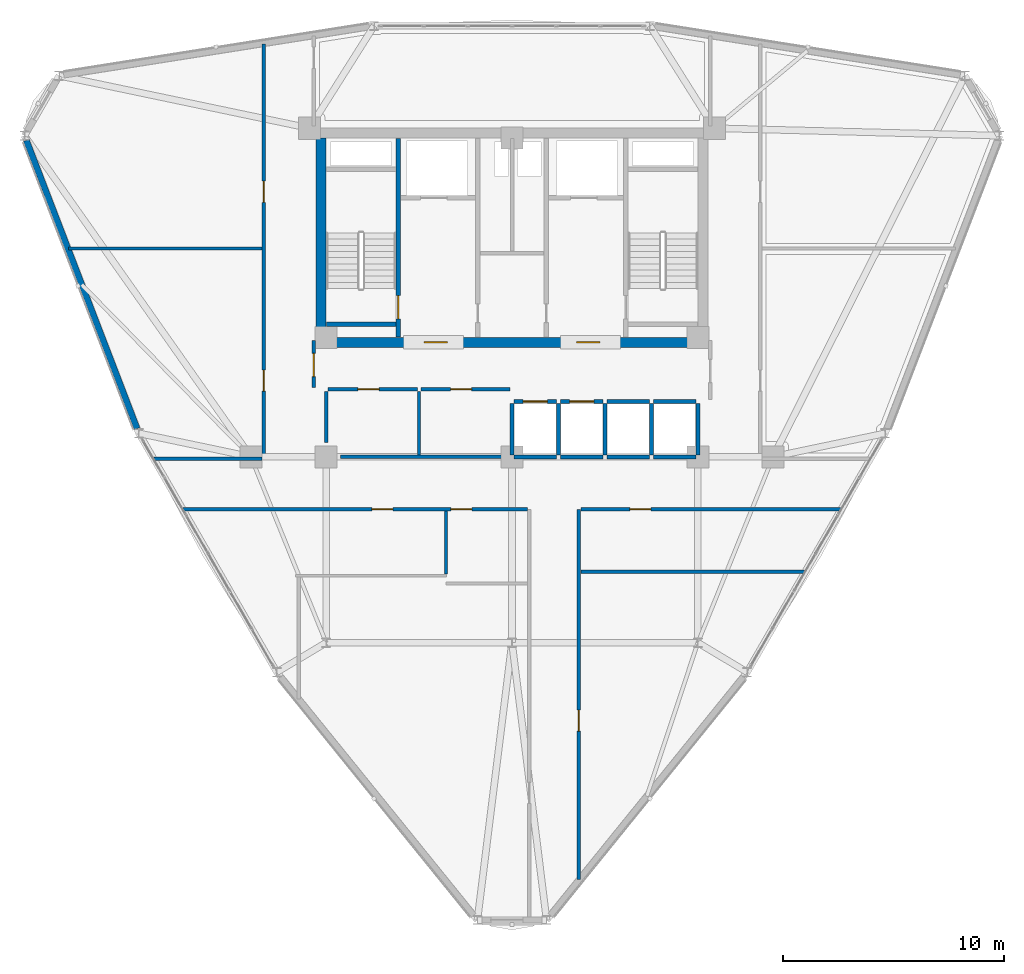
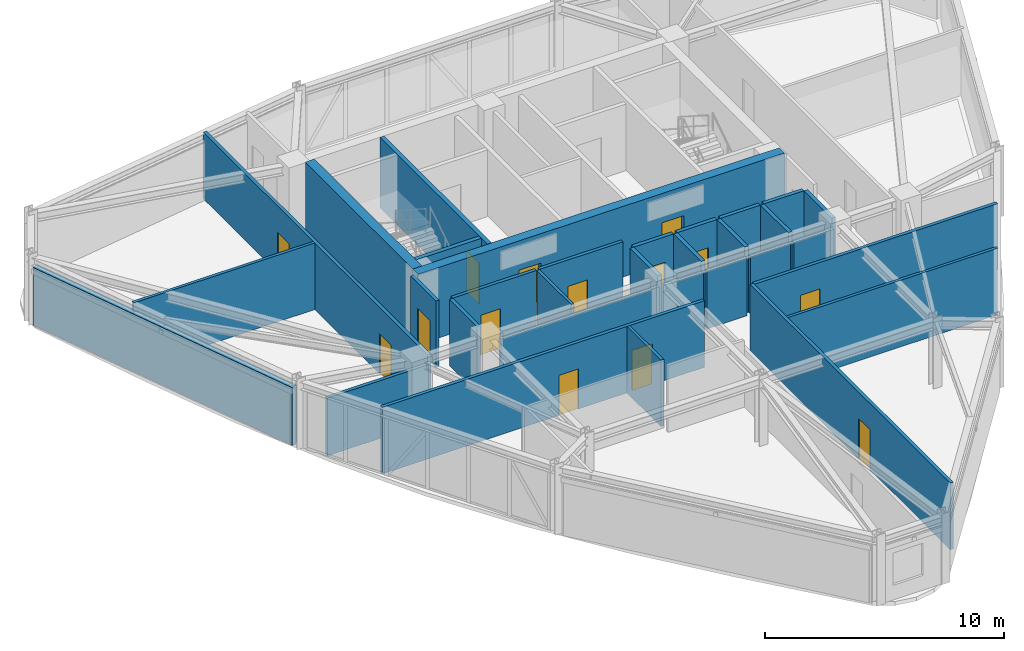
# One storey, part 10 of 14: 32 walls, 14 doors, 14 openings.
"""IFC4 building model written with IfcOpenShell, lengths in metres."""

import ifcopenshell
import ifcopenshell.guid

model = None  # the IFC model being written
_history = None  # IfcOwnerHistory: only IFC2X3 demands one
_inside = {}  # id of a spatial element -> (the spatial element, [elements in it])
_under = {}  # id of a project, library or spatial element -> (it, [spatial elements below it])
_declared = {}  # id of a project -> (the project, [libraries it declares])
_typed = {}  # id of a type object -> (the type object, [elements of that type])
_made_of = {}  # id of a material, layer set ... -> (it, [elements and type objects made of it])


def new_model(schema):
    """Start an empty IFC model of exactly this schema.

    Asked for "IFC4X3", IfcOpenShell would pick the latest addendum, in which some entities
    have other attributes; the version numbers below select the first issue.
    IFC2X3 requires an IfcOwnerHistory on every rooted entity: one is made here for all.
    """
    global model, _history
    if schema == "IFC4X3":
        model = ifcopenshell.file(schema_version=(4, 3, 0, 0))
    else:
        model = ifcopenshell.file(schema=schema)
    _inside.clear()
    _under.clear()
    _declared.clear()
    _typed.clear()
    _made_of.clear()
    _history = None
    if model.schema == "IFC2X3":
        org = make("IfcOrganization", Name="unknown")
        user = make(
            "IfcPersonAndOrganization",
            ThePerson=make("IfcPerson", FamilyName="unknown"),
            TheOrganization=org,
        )
        app = make(
            "IfcApplication",
            ApplicationDeveloper=org,
            Version="unknown",
            ApplicationFullName="unknown",
            ApplicationIdentifier="unknown",
        )
        _history = make(
            "IfcOwnerHistory",
            OwningUser=user,
            OwningApplication=app,
            ChangeAction="ADDED",
            CreationDate=0,
        )
    return model


def make(cls, **values):
    """One entity of the class cls with the attributes given. An attribute that is None is left unset."""
    return model.create_entity(
        cls, **{name: value for name, value in values.items() if value is not None}
    )


def rooted(cls, **values):
    """An entity with a GlobalId (a new one), such as an element, a storey or a relation."""
    return make(cls, GlobalId=ifcopenshell.guid.new(), OwnerHistory=_history, **values)


def si_unit(unit_type, name, prefix=None):
    """IfcSIUnit, for example si_unit("LENGTHUNIT", "METRE", prefix="MILLI")."""
    return make("IfcSIUnit", UnitType=unit_type, Prefix=prefix, Name=name)


def derived_unit(unit_type, elements):
    """IfcDerivedUnit: a product of units, each with its exponent."""
    return make(
        "IfcDerivedUnit",
        Elements=[
            make("IfcDerivedUnitElement", Unit=unit, Exponent=power)
            for unit, power in elements
        ],
        UnitType=unit_type,
    )


def assignment(units):
    """IfcUnitAssignment: the units of a project."""
    return None if units is None else make("IfcUnitAssignment", Units=units)


def point(xyz):
    """IfcCartesianPoint."""
    return None if xyz is None else make("IfcCartesianPoint", Coordinates=xyz)


def direction(xyz):
    """IfcDirection."""
    return None if xyz is None else make("IfcDirection", DirectionRatios=xyz)


def frame(location, z_axis=None, x_axis=None):
    """IfcAxis2Placement3D, a coordinate frame: its origin and axes. An axis left out is left unset."""
    return make(
        "IfcAxis2Placement3D",
        Location=point(location),
        Axis=direction(z_axis),
        RefDirection=direction(x_axis),
    )


def frame_2d(location, x_axis=None):
    """IfcAxis2Placement2D, a coordinate frame in the plane: its origin and x axis."""
    return make(
        "IfcAxis2Placement2D", Location=point(location), RefDirection=direction(x_axis)
    )


def origin():
    """The frame at (0, 0, 0) with its axes left unset."""
    return frame((0.0, 0.0, 0.0))


def place(relative_to, where):
    """IfcLocalPlacement: puts the frame where relative to a parent placement (None: the world)."""
    return make(
        "IfcLocalPlacement", PlacementRelTo=relative_to, RelativePlacement=where
    )


def context(
    kind, dimensions, precision=None, world=None, true_north=None, identifier=None
):
    """IfcGeometricRepresentationContext, for example the 3D "Model" context."""
    return make(
        "IfcGeometricRepresentationContext",
        ContextIdentifier=identifier,
        ContextType=kind,
        CoordinateSpaceDimension=dimensions,
        Precision=precision,
        WorldCoordinateSystem=world,
        TrueNorth=true_north,
    )


def subcontext(parent, identifier, kind, view, scale=None):
    """IfcGeometricRepresentationSubContext, for example "Body" below "Model"."""
    return make(
        "IfcGeometricRepresentationSubContext",
        ContextIdentifier=identifier,
        ContextType=kind,
        ParentContext=parent,
        TargetScale=scale,
        TargetView=view,
    )


def project(units=None, contexts=None):
    """IfcProject with its units and contexts."""
    return rooted(
        "IfcProject",
        Name="project",
        RepresentationContexts=contexts,
        UnitsInContext=assignment(units),
    )


def spatial(cls, under=None, at=None, **own):
    """A site, building, storey or space (cls), placed at a placement, below another one or the project."""
    s = rooted(cls, ObjectPlacement=at, **own)
    if under is not None:
        _under.setdefault(under.id(), (under, []))[1].append(s)
    return s


def profile(cls, at=None, kind="AREA", **sizes):
    """A parametric profile (cls). Its sizes go by their IFC names, for example OverallWidth=200.0."""
    return make(cls, ProfileType=kind, Position=at, **sizes)


def rectangle(**sizes):
    """IfcRectangleProfileDef."""
    return profile("IfcRectangleProfileDef", **sizes)


def extrude(swept, where, along, depth):
    """IfcExtrudedAreaSolid: the profile swept, set in the frame where, extruded along a direction by depth."""
    return make(
        "IfcExtrudedAreaSolid",
        SweptArea=swept,
        Position=where,
        ExtrudedDirection=direction(along),
        Depth=depth,
    )


def shape(context_of_items, identifier, shape_type, items):
    """IfcShapeRepresentation: the items that make up one representation, for example the "Body"."""
    return make(
        "IfcShapeRepresentation",
        ContextOfItems=context_of_items,
        RepresentationIdentifier=identifier,
        RepresentationType=shape_type,
        Items=items,
    )


def material(Name=None, Category=None):
    """IfcMaterial."""
    return make("IfcMaterial", Name=Name, Category=Category)


def layer(
    of_material, thickness, ventilated=None, Name=None, Category=None, Priority=None
):
    """IfcMaterialLayer: one layer of a wall or slab, of a material (None: an air gap)."""
    return make(
        "IfcMaterialLayer",
        Material=of_material,
        LayerThickness=thickness,
        IsVentilated=ventilated,
        Name=Name,
        Category=Category,
        Priority=Priority,
    )


def layer_set(layers, Name=None):
    """IfcMaterialLayerSet."""
    return make("IfcMaterialLayerSet", MaterialLayers=layers, LayerSetName=Name)


def made_of(thing, what):
    """Note that an element or type object is made of a material, layer set ...; save() writes the relation."""
    if what is not None:
        _made_of.setdefault(what.id(), (what, []))[1].append(thing)
    return thing


def type_object(cls, material=None, **own):
    """A type object (cls), such as IfcWallType, which elements share."""
    return made_of(rooted(cls, **own), material)


def element(
    cls,
    number,
    at=None,
    inside=None,
    cuts=None,
    type_object=None,
    material=None,
    context=None,
    identifier="Body",
    shape_type=None,
    held_by="IfcProductDefinitionShape",
    body=None,
    shapes=None,
    **own,
):
    """One element of the class cls, such as IfcWall. Its Tag is "e" and its number.

    at: its placement. inside: the storey or other place that contains it. cuts: it is an
    opening in that element (IfcRelVoidsElement). A single representation is given by context,
    identifier, shape_type and body (its items); several are given by shapes. held_by: the class
    of the entity that holds the representations. save() writes the other relations.
    """
    e = rooted(cls, Tag="e%d" % number, ObjectPlacement=at, **own)
    if body is not None:
        shapes = [shape(context, identifier, shape_type, body)]
    if shapes is not None:
        e.Representation = make(held_by, Representations=shapes)
    if inside is not None:
        _inside.setdefault(inside.id(), (inside, []))[1].append(e)
    if cuts is not None:
        rooted(
            "IfcRelVoidsElement", RelatingBuildingElement=cuts, RelatedOpeningElement=e
        )
    if type_object is not None:
        _typed.setdefault(type_object.id(), (type_object, []))[1].append(e)
    return made_of(e, material)


def fill(opening, filler):
    """IfcRelFillsElement: the door or window that sits in an opening."""
    return rooted(
        "IfcRelFillsElement",
        RelatingOpeningElement=opening,
        RelatedBuildingElement=filler,
    )


def aggregate(whole, parts):
    """IfcRelAggregates: a whole, such as a stair, and the parts it consists of."""
    return rooted("IfcRelAggregates", RelatingObject=whole, RelatedObjects=parts)


def save(model, path):
    """Write the relations noted so far, then the file.

    IfcRelAggregates (storeys below a building ...), IfcRelContainedInSpatialStructure (elements
    in a storey), IfcRelDefinesByType, IfcRelAssociatesMaterial and IfcRelDeclares: one each for
    every whole, place, type object, material and project.
    """
    for whole, parts in _under.values():
        aggregate(whole, parts)
    for where, things in _inside.values():
        rooted(
            "IfcRelContainedInSpatialStructure",
            RelatedElements=things,
            RelatingStructure=where,
        )
    for kind, things in _typed.values():
        rooted("IfcRelDefinesByType", RelatedObjects=things, RelatingType=kind)
    for what, things in _made_of.values():
        rooted("IfcRelAssociatesMaterial", RelatedObjects=things, RelatingMaterial=what)
    for by, libraries in _declared.values():
        rooted("IfcRelDeclares", RelatingContext=by, RelatedDefinitions=libraries)
    model.write(path)


model = new_model("IFC4")

# Units and contexts
model_context = context("Model", 3, precision=1e-05, world=origin(), true_north=direction((0.0, 1.0)))
body_context = subcontext(model_context, "Body", "Model", "MODEL_VIEW")
ifc_project = project(units=[si_unit("LENGTHUNIT", "METRE"), si_unit("AREAUNIT", "SQUARE_METRE"), si_unit("VOLUMEUNIT", "CUBIC_METRE"), si_unit("PLANEANGLEUNIT", "RADIAN"), si_unit("MASSUNIT", "GRAM", prefix="KILO"), derived_unit("THERMALTRANSMITTANCEUNIT", [(si_unit("POWERUNIT", "WATT"), 1), (si_unit("LENGTHUNIT", "METRE"), -2), (si_unit("THERMODYNAMICTEMPERATUREUNIT", "KELVIN"), -1)])], contexts=[model_context])

# Site, building, storey
site_placement = place(None, origin())
site = spatial("IfcSite", under=ifc_project, at=site_placement, CompositionType="ELEMENT")
building_placement = place(site_placement, origin())
building = spatial("IfcBuilding", under=site, at=building_placement, Name="Korsvarv Bourse and Concert Hall", CompositionType="ELEMENT")
storey_placement = place(building_placement, frame((0.0, 0.0, 193.800048828125)))
storey = spatial("IfcBuildingStorey", under=building, at=storey_placement, Name="L50", CompositionType="ELEMENT", Elevation=193.800048828125)

# Wall, opening, door
ifc_material_1 = material(Name="Concrete C50/60", Category="concrete")
ifc_layer_1 = layer(ifc_material_1, 0.3798828125)
ifc_layer_set_1 = layer_set([ifc_layer_1], Name="Concrete C50/60")
wall_type_1 = type_object("IfcWallType", Name="WL-CORE-380", PredefinedType="SHEAR", material=ifc_layer_set_1)
wall_1_placement = place(storey_placement, frame((30.860107421875, 37.81005859375, 0.0), z_axis=(0.0, 0.0, 1.0), x_axis=(0.0, 1.0, 0.0)))
wall_1 = element("IfcWall", 1, at=wall_1_placement, inside=storey, type_object=wall_type_1, Name="L50 stair shaft structural wall W-L50-ST1-E", PredefinedType="SHEAR", context=body_context, shape_type="SweptSolid", body=[
    extrude(rectangle(XDim=8.97998046875, YDim=0.199951171875, at=frame_2d((4.489990234375, 0.0))), origin(), (0.0, 0.0, 1.0), 3.599853515625),
])
opening_1_placement = place(wall_1_placement, frame((0.820068359375, 0.0, 0.0)))
opening_1 = element("IfcOpeningElement", 2, at=opening_1_placement, cuts=wall_1, Name="Opening D-01", PredefinedType="OPENING", context=body_context, shape_type="SweptSolid", body=[
    extrude(rectangle(XDim=1.050048828125, YDim=2.10009765625, at=frame_2d((0.52490234375, 1.050048828125))), frame((0.0, 0.10986328125, 0.0), z_axis=(0.0, -1.0, 0.0), x_axis=(1.0, 0.0, 0.0)), (0.0, 0.0, 1.0), 0.219970703125),
])
ifc_material_2 = material(Name="Steel S355 fire door", Category="steel")
door_type_1 = type_object("IfcDoorType", Name="DR-FD60", OperationType="NOTDEFINED", PredefinedType="DOOR", material=ifc_material_2)
door_1_placement = place(opening_1_placement, origin())
door_1 = element("IfcDoor", 3, at=door_1_placement, inside=storey, type_object=door_type_1, Name="L50 interior door DR-L50-ST1", OperationType="SINGLE_SWING_LEFT", OverallHeight=2.10009765625, OverallWidth=1.050048828125, PredefinedType="DOOR", context=body_context, shape_type="SweptSolid", body=[
    extrude(rectangle(XDim=1.050048828125, YDim=2.10009765625, at=frame_2d((0.52490234375, 1.050048828125))), frame((0.0, 0.02490234375, 0.0), z_axis=(0.0, -1.0, 0.0), x_axis=(1.0, 0.0, 0.0)), (0.0, 0.0, 1.0), 0.050048828125),
])
fill(opening_1, door_1)

# Wall
wall_2_placement = place(storey_placement, frame((27.610107421875, 38.39990234375, 0.0), z_axis=(0.0, 0.0, 1.0), x_axis=(1.0, 0.0, 0.0)))
element("IfcWall", 4, at=wall_2_placement, inside=storey, type_object=wall_type_1, Name="L50 stair shaft structural wall W-L50-ST1-S", PredefinedType="SHEAR", context=body_context, shape_type="SweptSolid", body=[
    extrude(rectangle(XDim=3.139892578125, YDim=0.199951171875, at=frame_2d((1.56982421875, 0.0))), origin(), (0.0, 0.0, 1.0), 3.599853515625),
])

# Wall, openings, doors
ifc_material_3 = material(Name="Concrete C55/67", Category="concrete")
ifc_layer_2 = layer(ifc_material_3, 0.449951171875)
ifc_layer_set_2 = layer_set([ifc_layer_2], Name="Concrete C55/67")
wall_type_2 = type_object("IfcWallType", Name="WL-CORE-450", PredefinedType="SHEAR", material=ifc_layer_set_2)
wall_3_placement = place(storey_placement, frame((27.14990234375, 37.574951171875, 0.0), z_axis=(0.0, 0.0, 1.0), x_axis=(1.0, 0.0, 0.0)))
wall_3 = element("IfcWall", 5, at=wall_3_placement, inside=storey, type_object=wall_type_2, Name="L50 South Core Shear Wall", PredefinedType="SHEAR", context=body_context, shape_type="SweptSolid", body=[
    extrude(rectangle(XDim=17.7001953125, YDim=0.449951171875, at=frame_2d((8.85009765625, 0.0))), origin(), (0.0, 0.0, 1.0), 3.599853515625),
])
opening_2_placement = place(wall_3_placement, frame((4.875, 0.0, 0.0)))
opening_2 = element("IfcOpeningElement", 6, at=opening_2_placement, cuts=wall_3, Name="Opening D-01", PredefinedType="OPENING", context=body_context, shape_type="SweptSolid", body=[
    extrude(rectangle(XDim=1.050048828125, YDim=2.10009765625, at=frame_2d((0.52490234375, 1.050048828125))), frame((0.0, 0.23486328125, 0.0), z_axis=(0.0, -1.0, 0.0), x_axis=(1.0, 0.0, 0.0)), (0.0, 0.0, 1.0), 0.469970703125),
])
opening_3_placement = place(wall_3_placement, frame((11.77490234375, 0.0, 0.0)))
opening_3 = element("IfcOpeningElement", 7, at=opening_3_placement, cuts=wall_3, Name="Opening D-01", PredefinedType="OPENING", context=body_context, shape_type="SweptSolid", body=[
    extrude(rectangle(XDim=1.050048828125, YDim=2.10009765625, at=frame_2d((0.52490234375, 1.050048828125))), frame((0.0, 0.23486328125, 0.0), z_axis=(0.0, -1.0, 0.0), x_axis=(1.0, 0.0, 0.0)), (0.0, 0.0, 1.0), 0.469970703125),
])
door_2_placement = place(opening_2_placement, frame((1.050048828125, 0.0, 0.0), z_axis=(0.0, 0.0, 1.0), x_axis=(-1.0, 0.0, 0.0)))
door_2 = element("IfcDoor", 8, at=door_2_placement, inside=storey, type_object=door_type_1, Name="L50 firefighting lobby fire door DR-L50-FFLW", OperationType="SINGLE_SWING_LEFT", OverallHeight=2.10009765625, OverallWidth=1.050048828125, PredefinedType="DOOR", context=body_context, shape_type="SweptSolid", body=[
    extrude(rectangle(XDim=1.050048828125, YDim=2.10009765625, at=frame_2d((0.52490234375, 1.050048828125))), frame((0.0, 0.02490234375, 0.0), z_axis=(0.0, -1.0, 0.0), x_axis=(1.0, 0.0, 0.0)), (0.0, 0.0, 1.0), 0.050048828125),
])
fill(opening_2, door_2)
door_3_placement = place(opening_3_placement, frame((1.050048828125, 0.0, 0.0), z_axis=(0.0, 0.0, 1.0), x_axis=(-1.0, 0.0, 0.0)))
door_3 = element("IfcDoor", 9, at=door_3_placement, inside=storey, type_object=door_type_1, Name="L50 firefighting lobby fire door DR-L50-FFLE", OperationType="SINGLE_SWING_RIGHT", OverallHeight=2.10009765625, OverallWidth=1.050048828125, PredefinedType="DOOR", context=body_context, shape_type="SweptSolid", body=[
    extrude(rectangle(XDim=1.050048828125, YDim=2.10009765625, at=frame_2d((0.52490234375, 1.050048828125))), frame((0.0, 0.02490234375, 0.0), z_axis=(0.0, -1.0, 0.0), x_axis=(1.0, 0.0, 0.0)), (0.0, 0.0, 1.0), 0.050048828125),
])
fill(opening_3, door_3)

# Walls
wall_4_placement = place(storey_placement, frame((27.375, 37.800048828125, 0.0), z_axis=(0.0, 0.0, 1.0), x_axis=(0.0, 1.0, 0.0)))
element("IfcWall", 10, at=wall_4_placement, inside=storey, type_object=wall_type_2, Name="L50 West Core Shear Wall", PredefinedType="SHEAR", context=body_context, shape_type="SweptSolid", body=[
    extrude(rectangle(XDim=9.0, YDim=0.449951171875, at=frame_2d((4.5, 0.0))), origin(), (0.0, 0.0, 1.0), 3.599853515625),
])
ifc_material_4 = material(Name="Precast concrete C45/55 with fluted terracotta pier", Category="concrete")
ifc_layer_3 = layer(ifc_material_4, 0.280029296875)
ifc_layer_set_3 = layer_set([ifc_layer_3], Name="Precast concrete C45/55 with fluted terracotta pier")
wall_type_3 = type_object("IfcWallType", Name="WL-EXT-TC2", PredefinedType="SOLIDWALL", material=ifc_layer_set_3)
wall_5_placement = place(storey_placement, frame((14.051513671875, 46.699462890625, 0.0), z_axis=(0.0, 0.0, 1.0), x_axis=(0.358703519473, -0.933451544065, 0.0)))
element("IfcWall", 11, at=wall_5_placement, inside=storey, type_object=wall_type_3, Name="L50 terracotta exterior wall EW-L50-B06", PredefinedType="SOLIDWALL", context=body_context, shape_type="SweptSolid", body=[
    extrude(rectangle(XDim=13.95263671875, YDim=0.280029296875, at=frame_2d((6.976318359375, 0.0))), origin(), (0.0, 0.0, 1.0), 2.949951171875),
])
ifc_material_5 = material(Name="Double-stud fire-rated acoustic partition", Category="gypsum")
ifc_layer_4 = layer(ifc_material_5, 0.159912109375)
ifc_layer_set_4 = layer_set([ifc_layer_4], Name="Double-stud fire-rated acoustic partition")
wall_type_4 = type_object("IfcWallType", Name="WL-INT-EI60", PredefinedType="PARTITIONING", material=ifc_layer_set_4)
wall_6_placement = place(storey_placement, frame((28.25, 32.39990234375, 0.0), z_axis=(0.0, 0.0, 1.0), x_axis=(1.0, 0.0, 0.0)))
element("IfcWall", 12, at=wall_6_placement, inside=storey, type_object=wall_type_4, Name="L50 interior partition wall W-L50-FRD-S", PredefinedType="PARTITIONING", context=body_context, shape_type="SweptSolid", body=[
    extrude(rectangle(XDim=7.64990234375, YDim=0.159912109375, at=frame_2d((3.824951171875, 0.0))), origin(), (0.0, 0.0, 1.0), 2.949951171875),
])
wall_7_placement = place(storey_placement, frame((27.60009765625, 33.050048828125, 0.0), z_axis=(0.0, 0.0, 1.0), x_axis=(0.0, 1.0, 0.0)))
element("IfcWall", 13, at=wall_7_placement, inside=storey, type_object=wall_type_4, Name="L50 interior partition wall W-L50-FRD-W", PredefinedType="PARTITIONING", context=body_context, shape_type="SweptSolid", body=[
    extrude(rectangle(XDim=2.31005859375, YDim=0.159912109375, at=frame_2d((1.155029296875, 0.0))), origin(), (0.0, 0.0, 1.0), 3.39990234375),
])

# Wall, opening, door
wall_8_placement = place(storey_placement, frame((27.68994140625, 35.449951171875, 0.0), z_axis=(0.0, 0.0, 1.0), x_axis=(1.0, 0.0, 0.0)))
wall_8 = element("IfcWall", 14, at=wall_8_placement, inside=storey, type_object=wall_type_4, Name="L50 interior partition wall W-L50-FRD-N1", PredefinedType="PARTITIONING", context=body_context, shape_type="SweptSolid", body=[
    extrude(rectangle(XDim=4.030029296875, YDim=0.159912109375, at=frame_2d((2.01513671875, 0.0))), origin(), (0.0, 0.0, 1.0), 3.39990234375),
])
opening_4_placement = place(wall_8_placement, frame((1.35009765625, 0.0, 0.0)))
opening_4 = element("IfcOpeningElement", 15, at=opening_4_placement, cuts=wall_8, Name="Opening D-03", PredefinedType="OPENING", context=body_context, shape_type="SweptSolid", body=[
    extrude(rectangle(XDim=0.949951171875, YDim=2.050048828125, at=frame_2d((0.47509765625, 1.02490234375))), frame((0.0, 0.08984375, 0.0), z_axis=(0.0, -1.0, 0.0), x_axis=(1.0, 0.0, 0.0)), (0.0, 0.0, 1.0), 0.179931640625),
])
ifc_material_6 = material(Name="Nordic oak acoustic office door", Category="wood")
door_type_2 = type_object("IfcDoorType", Name="DR-INT-1", OperationType="NOTDEFINED", PredefinedType="DOOR", material=ifc_material_6)
door_4_placement = place(opening_4_placement, origin())
door_4 = element("IfcDoor", 16, at=door_4_placement, inside=storey, type_object=door_type_2, Name="L50 interior door DR-L50-FRDN1", OperationType="SINGLE_SWING_LEFT", OverallHeight=2.050048828125, OverallWidth=0.949951171875, PredefinedType="DOOR", context=body_context, shape_type="SweptSolid", body=[
    extrude(rectangle(XDim=0.949951171875, YDim=2.050048828125, at=frame_2d((0.47509765625, 1.02490234375))), frame((0.0, 0.02490234375, 0.0), z_axis=(0.0, -1.0, 0.0), x_axis=(1.0, 0.0, 0.0)), (0.0, 0.0, 1.0), 0.050048828125),
])
fill(opening_4, door_4)

wall_9_placement = place(storey_placement, frame((31.8798828125, 35.449951171875, 0.0), z_axis=(0.0, 0.0, 1.0), x_axis=(1.0, 0.0, 0.0)))
wall_9 = element("IfcWall", 17, at=wall_9_placement, inside=storey, type_object=wall_type_4, Name="L50 interior partition wall W-L50-FRD-N2", PredefinedType="PARTITIONING", context=body_context, shape_type="SweptSolid", body=[
    extrude(rectangle(XDim=4.02001953125, YDim=0.159912109375, at=frame_2d((2.010009765625, 0.0))), origin(), (0.0, 0.0, 1.0), 3.39990234375),
])
opening_5_placement = place(wall_9_placement, frame((1.35009765625, 0.0, 0.0)))
opening_5 = element("IfcOpeningElement", 18, at=opening_5_placement, cuts=wall_9, Name="Opening D-03", PredefinedType="OPENING", context=body_context, shape_type="SweptSolid", body=[
    extrude(rectangle(XDim=0.949951171875, YDim=2.050048828125, at=frame_2d((0.47509765625, 1.02490234375))), frame((0.0, 0.08984375, 0.0), z_axis=(0.0, -1.0, 0.0), x_axis=(1.0, 0.0, 0.0)), (0.0, 0.0, 1.0), 0.179931640625),
])
door_5_placement = place(opening_5_placement, origin())
door_5 = element("IfcDoor", 19, at=door_5_placement, inside=storey, type_object=door_type_2, Name="L50 interior door DR-L50-FRDN2", OperationType="SINGLE_SWING_RIGHT", OverallHeight=2.050048828125, OverallWidth=0.949951171875, PredefinedType="DOOR", context=body_context, shape_type="SweptSolid", body=[
    extrude(rectangle(XDim=0.949951171875, YDim=2.050048828125, at=frame_2d((0.47509765625, 1.02490234375))), frame((0.0, 0.02490234375, 0.0), z_axis=(0.0, -1.0, 0.0), x_axis=(1.0, 0.0, 0.0)), (0.0, 0.0, 1.0), 0.050048828125),
])
fill(opening_5, door_5)

wall_10_placement = place(storey_placement, frame((27.0400390625, 35.5400390625, 0.0), z_axis=(0.0, 0.0, 1.0), x_axis=(0.0, 1.0, 0.0)))
wall_10 = element("IfcWall", 20, at=wall_10_placement, inside=storey, type_object=wall_type_4, Name="L50 interior partition wall W-L50-LOB-WL", PredefinedType="PARTITIONING", context=body_context, shape_type="SweptSolid", body=[
    extrude(rectangle(XDim=2.10986328125, YDim=0.159912109375, at=frame_2d((1.054931640625, 0.0))), origin(), (0.0, 0.0, 1.0), 3.39990234375),
])
opening_6_placement = place(wall_10_placement, frame((0.47998046875, 0.0, 0.0)))
opening_6 = element("IfcOpeningElement", 21, at=opening_6_placement, cuts=wall_10, Name="Opening D-01", PredefinedType="OPENING", context=body_context, shape_type="SweptSolid", body=[
    extrude(rectangle(XDim=1.050048828125, YDim=2.10009765625, at=frame_2d((0.52490234375, 1.050048828125))), frame((0.0, 0.08984375, 0.0), z_axis=(0.0, -1.0, 0.0), x_axis=(1.0, 0.0, 0.0)), (0.0, 0.0, 1.0), 0.179931640625),
])
door_6_placement = place(opening_6_placement, frame((1.050048828125, 0.0, 0.0), z_axis=(0.0, 0.0, 1.0), x_axis=(-1.0, 0.0, 0.0)))
door_6 = element("IfcDoor", 22, at=door_6_placement, inside=storey, type_object=door_type_1, Name="L50 interior door DR-L50-LOBW", OperationType="SINGLE_SWING_LEFT", OverallHeight=2.10009765625, OverallWidth=1.050048828125, PredefinedType="DOOR", context=body_context, shape_type="SweptSolid", body=[
    extrude(rectangle(XDim=1.050048828125, YDim=2.10009765625, at=frame_2d((0.52490234375, 1.050048828125))), frame((0.0, 0.02490234375, 0.0), z_axis=(0.0, -1.0, 0.0), x_axis=(1.0, 0.0, 0.0)), (0.0, 0.0, 1.0), 0.050048828125),
])
fill(opening_6, door_6)

# Wall, openings, doors
wall_11_placement = place(storey_placement, frame((24.77490234375, 32.31005859375, 0.0), z_axis=(0.0, 0.0, 1.0), x_axis=(0.0, 1.0, 0.0)))
wall_11 = element("IfcWall", 23, at=wall_11_placement, inside=storey, type_object=wall_type_4, Name="L50 interior partition wall W-L50-TCOR-02", PredefinedType="PARTITIONING", context=body_context, shape_type="SweptSolid", body=[
    extrude(rectangle(XDim=18.7529296875, YDim=0.159912109375, at=frame_2d((9.37646484375, 0.0))), origin(), (0.0, 0.0, 1.0), 3.39990234375),
])
opening_7_placement = place(wall_11_placement, frame((3.060302734375, 0.0, 0.0)))
opening_7 = element("IfcOpeningElement", 24, at=opening_7_placement, cuts=wall_11, Name="Opening D-02", PredefinedType="OPENING", context=body_context, shape_type="SweptSolid", body=[
    extrude(rectangle(XDim=0.949951171875, YDim=2.050048828125, at=frame_2d((0.47509765625, 1.02490234375))), frame((0.0, 0.08984375, 0.0), z_axis=(0.0, -1.0, 0.0), x_axis=(1.0, 0.0, 0.0)), (0.0, 0.0, 1.0), 0.179931640625),
])
opening_8_placement = place(wall_11_placement, frame((11.593017578125, 0.0, 0.0)))
opening_8 = element("IfcOpeningElement", 25, at=opening_8_placement, cuts=wall_11, Name="Opening D-02", PredefinedType="OPENING", context=body_context, shape_type="SweptSolid", body=[
    extrude(rectangle(XDim=0.949951171875, YDim=2.050048828125, at=frame_2d((0.47509765625, 1.02490234375))), frame((0.0, 0.08984375, 0.0), z_axis=(0.0, -1.0, 0.0), x_axis=(1.0, 0.0, 0.0)), (0.0, 0.0, 1.0), 0.179931640625),
])
ifc_material_7 = material(Name="Timber and steel acoustic fire door", Category="wood")
door_type_3 = type_object("IfcDoorType", Name="DR-FD30", OperationType="NOTDEFINED", PredefinedType="DOOR", material=ifc_material_7)
door_7_placement = place(opening_7_placement, origin())
door_7 = element("IfcDoor", 26, at=door_7_placement, inside=storey, type_object=door_type_3, Name="L50 interior door DR-L50-TCOR-FN68", OperationType="SINGLE_SWING_LEFT", OverallHeight=2.050048828125, OverallWidth=0.949951171875, PredefinedType="DOOR", context=body_context, shape_type="SweptSolid", body=[
    extrude(rectangle(XDim=0.949951171875, YDim=2.050048828125, at=frame_2d((0.47509765625, 1.02490234375))), frame((0.0, 0.02490234375, 0.0), z_axis=(0.0, -1.0, 0.0), x_axis=(1.0, 0.0, 0.0)), (0.0, 0.0, 1.0), 0.050048828125),
])
fill(opening_7, door_7)
door_8_placement = place(opening_8_placement, origin())
door_8 = element("IfcDoor", 27, at=door_8_placement, inside=storey, type_object=door_type_3, Name="L50 interior door DR-L50-TCOR-FN79", OperationType="SINGLE_SWING_RIGHT", OverallHeight=2.050048828125, OverallWidth=0.949951171875, PredefinedType="DOOR", context=body_context, shape_type="SweptSolid", body=[
    extrude(rectangle(XDim=0.949951171875, YDim=2.050048828125, at=frame_2d((0.47509765625, 1.02490234375))), frame((0.0, 0.02490234375, 0.0), z_axis=(0.0, -1.0, 0.0), x_axis=(1.0, 0.0, 0.0)), (0.0, 0.0, 1.0), 0.050048828125),
])
fill(opening_8, door_8)

# Wall, opening, door
wall_12_placement = place(storey_placement, frame((39.02490234375, 13.289794921875, 0.0), z_axis=(0.0, 0.0, 1.0), x_axis=(0.0, 1.0, 0.0)))
wall_12 = element("IfcWall", 28, at=wall_12_placement, inside=storey, type_object=wall_type_4, Name="L50 interior partition wall W-L50-TCOR-04", PredefinedType="PARTITIONING", context=body_context, shape_type="SweptSolid", body=[
    extrude(rectangle(XDim=16.740234375, YDim=0.159912109375, at=frame_2d((8.3701171875, 0.0))), origin(), (0.0, 0.0, 1.0), 3.39990234375),
])
opening_9_placement = place(wall_12_placement, frame((6.71630859375, 0.0, 0.0)))
opening_9 = element("IfcOpeningElement", 29, at=opening_9_placement, cuts=wall_12, Name="Opening D-02", PredefinedType="OPENING", context=body_context, shape_type="SweptSolid", body=[
    extrude(rectangle(XDim=0.949951171875, YDim=2.050048828125, at=frame_2d((0.47509765625, 1.02490234375))), frame((0.0, 0.08984375, 0.0), z_axis=(0.0, -1.0, 0.0), x_axis=(1.0, 0.0, 0.0)), (0.0, 0.0, 1.0), 0.179931640625),
])
door_9_placement = place(opening_9_placement, origin())
door_9 = element("IfcDoor", 30, at=door_9_placement, inside=storey, type_object=door_type_3, Name="L50 interior door DR-L50-TCOR-FN43", OperationType="SINGLE_SWING_RIGHT", OverallHeight=2.050048828125, OverallWidth=0.949951171875, PredefinedType="DOOR", context=body_context, shape_type="SweptSolid", body=[
    extrude(rectangle(XDim=0.949951171875, YDim=2.050048828125, at=frame_2d((0.47509765625, 1.02490234375))), frame((0.0, 0.02490234375, 0.0), z_axis=(0.0, -1.0, 0.0), x_axis=(1.0, 0.0, 0.0)), (0.0, 0.0, 1.0), 0.050048828125),
])
fill(opening_9, door_9)

# Wall, openings, doors
wall_13_placement = place(storey_placement, frame((21.142578125, 30.02490234375, 0.0), z_axis=(0.0, 0.0, 1.0), x_axis=(1.0, 0.0, 0.0)))
wall_13 = element("IfcWall", 31, at=wall_13_placement, inside=storey, type_object=wall_type_4, Name="L50 interior partition wall W-L50-TCOR-05", PredefinedType="PARTITIONING", context=body_context, shape_type="SweptSolid", body=[
    extrude(rectangle(XDim=15.550537109375, YDim=0.159912109375, at=frame_2d((7.775390625, 0.0))), origin(), (0.0, 0.0, 1.0), 3.39990234375),
])
opening_10_placement = place(wall_13_placement, frame((12.097412109375, 0.0, 0.0)))
opening_10 = element("IfcOpeningElement", 32, at=opening_10_placement, cuts=wall_13, Name="Opening D-02", PredefinedType="OPENING", context=body_context, shape_type="SweptSolid", body=[
    extrude(rectangle(XDim=0.949951171875, YDim=2.050048828125, at=frame_2d((0.47509765625, 1.02490234375))), frame((0.0, 0.08984375, 0.0), z_axis=(0.0, -1.0, 0.0), x_axis=(1.0, 0.0, 0.0)), (0.0, 0.0, 1.0), 0.179931640625),
])
opening_11_placement = place(wall_13_placement, frame((8.521484375, 0.0, 0.0)))
opening_11 = element("IfcOpeningElement", 33, at=opening_11_placement, cuts=wall_13, Name="Opening D-02", PredefinedType="OPENING", context=body_context, shape_type="SweptSolid", body=[
    extrude(rectangle(XDim=0.949951171875, YDim=2.050048828125, at=frame_2d((0.47509765625, 1.02490234375))), frame((0.0, 0.08984375, 0.0), z_axis=(0.0, -1.0, 0.0), x_axis=(1.0, 0.0, 0.0)), (0.0, 0.0, 1.0), 0.179931640625),
])
door_10_placement = place(opening_10_placement, origin())
door_10 = element("IfcDoor", 34, at=door_10_placement, inside=storey, type_object=door_type_3, Name="L50 interior door DR-L50-TCOR-RWC", OperationType="SINGLE_SWING_LEFT", OverallHeight=2.050048828125, OverallWidth=0.949951171875, PredefinedType="DOOR", context=body_context, shape_type="SweptSolid", body=[
    extrude(rectangle(XDim=0.949951171875, YDim=2.050048828125, at=frame_2d((0.47509765625, 1.02490234375))), frame((0.0, 0.02490234375, 0.0), z_axis=(0.0, -1.0, 0.0), x_axis=(1.0, 0.0, 0.0)), (0.0, 0.0, 1.0), 0.050048828125),
])
fill(opening_10, door_10)
door_11_placement = place(opening_11_placement, origin())
door_11 = element("IfcDoor", 35, at=door_11_placement, inside=storey, type_object=door_type_3, Name="L50 interior door DR-L50-TCOR-FN16", OperationType="SINGLE_SWING_RIGHT", OverallHeight=2.050048828125, OverallWidth=0.949951171875, PredefinedType="DOOR", context=body_context, shape_type="SweptSolid", body=[
    extrude(rectangle(XDim=0.949951171875, YDim=2.050048828125, at=frame_2d((0.47509765625, 1.02490234375))), frame((0.0, 0.02490234375, 0.0), z_axis=(0.0, -1.0, 0.0), x_axis=(1.0, 0.0, 0.0)), (0.0, 0.0, 1.0), 0.050048828125),
])
fill(opening_11, door_11)

# Wall, opening, door
wall_14_placement = place(storey_placement, frame((39.10693359375, 30.02490234375, 0.0), z_axis=(0.0, 0.0, 1.0), x_axis=(1.0, 0.0, 0.0)))
wall_14 = element("IfcWall", 36, at=wall_14_placement, inside=storey, type_object=wall_type_4, Name="L50 interior partition wall W-L50-TCOR-06", PredefinedType="PARTITIONING", context=body_context, shape_type="SweptSolid", body=[
    extrude(rectangle(XDim=11.75048828125, YDim=0.159912109375, at=frame_2d((5.875244140625, 0.0))), origin(), (0.0, 0.0, 1.0), 3.39990234375),
])
opening_12_placement = place(wall_14_placement, frame((2.2197265625, 0.0, 0.0)))
opening_12 = element("IfcOpeningElement", 37, at=opening_12_placement, cuts=wall_14, Name="Opening D-02", PredefinedType="OPENING", context=body_context, shape_type="SweptSolid", body=[
    extrude(rectangle(XDim=0.949951171875, YDim=2.050048828125, at=frame_2d((0.47509765625, 1.02490234375))), frame((0.0, 0.08984375, 0.0), z_axis=(0.0, -1.0, 0.0), x_axis=(1.0, 0.0, 0.0)), (0.0, 0.0, 1.0), 0.179931640625),
])
door_12_placement = place(opening_12_placement, origin())
door_12 = element("IfcDoor", 38, at=door_12_placement, inside=storey, type_object=door_type_3, Name="L50 interior door DR-L50-TCOR-FN24", OperationType="SINGLE_SWING_LEFT", OverallHeight=2.050048828125, OverallWidth=0.949951171875, PredefinedType="DOOR", context=body_context, shape_type="SweptSolid", body=[
    extrude(rectangle(XDim=0.949951171875, YDim=2.050048828125, at=frame_2d((0.47509765625, 1.02490234375))), frame((0.0, 0.02490234375, 0.0), z_axis=(0.0, -1.0, 0.0), x_axis=(1.0, 0.0, 0.0)), (0.0, 0.0, 1.0), 0.050048828125),
])
fill(opening_12, door_12)

# Wall
wall_15_placement = place(storey_placement, frame((19.8203125, 32.31494140625, 0.0), z_axis=(0.0, 0.0, 1.0), x_axis=(1.0, 0.0, 0.0)))
element("IfcWall", 39, at=wall_15_placement, inside=storey, type_object=wall_type_4, Name="L50 interior partition wall W-L50-TCOR-08", PredefinedType="PARTITIONING", context=body_context, shape_type="SweptSolid", body=[
    extrude(rectangle(XDim=4.872802734375, YDim=0.159912109375, at=frame_2d((2.4365234375, 0.0))), origin(), (0.0, 0.0, 1.0), 2.949951171875),
])

# Wall, opening, door
ifc_material_8 = material(Name="Gypsum-clad autoclaved concrete shaft wall C30/37", Category="concrete")
ifc_layer_5 = layer(ifc_material_8, 0.179931640625)
ifc_layer_set_5 = layer_set([ifc_layer_5], Name="Gypsum-clad autoclaved concrete shaft wall C30/37")
wall_type_5 = type_object("IfcWallType", Name="WL-INT-EI90", PredefinedType="PARTITIONING", material=ifc_layer_set_5)
wall_16_placement = place(storey_placement, frame((36.090087890625, 34.89990234375, 0.0), z_axis=(0.0, 0.0, 1.0), x_axis=(1.0, 0.0, 0.0)))
wall_16 = element("IfcWall", 40, at=wall_16_placement, inside=storey, type_object=wall_type_5, Name="L50 interior partition wall W-L50-SHFN-PH1", PredefinedType="PARTITIONING", context=body_context, shape_type="SweptSolid", body=[
    extrude(rectangle(XDim=1.919921875, YDim=0.179931640625, at=frame_2d((0.9599609375, 0.0))), origin(), (0.0, 0.0, 1.0), 3.39990234375),
])
opening_13_placement = place(wall_16_placement, frame((0.409912109375, 0.0, 0.0)))
opening_13 = element("IfcOpeningElement", 41, at=opening_13_placement, cuts=wall_16, Name="Opening LD-2", PredefinedType="OPENING", context=body_context, shape_type="SweptSolid", body=[
    extrude(rectangle(XDim=1.10009765625, YDim=2.10009765625, at=frame_2d((0.550048828125, 1.050048828125))), frame((0.0, 0.10009765625, 0.0), z_axis=(0.0, -1.0, 0.0), x_axis=(1.0, 0.0, 0.0)), (0.0, 0.0, 1.0), 0.199951171875),
])
ifc_material_9 = material(Name="Brushed stainless Steel S355 lift landing door", Category="steel")
door_type_4 = type_object("IfcDoorType", Name="DR-LIFT-P", OperationType="DOUBLE_DOOR_SLIDING", PredefinedType="DOOR", material=ifc_material_9)
door_13_placement = place(opening_13_placement, origin())
door_13 = element("IfcDoor", 42, at=door_13_placement, inside=storey, type_object=door_type_4, Name="L50 lift sliding landing door LD-L50-PH1", OperationType="DOUBLE_DOOR_SLIDING", OverallHeight=2.10009765625, OverallWidth=1.10009765625, PredefinedType="DOOR", context=body_context, shape_type="SweptSolid", body=[
    extrude(rectangle(XDim=1.10009765625, YDim=2.10009765625, at=frame_2d((0.550048828125, 1.050048828125))), frame((0.0, 0.02490234375, 0.0), z_axis=(0.0, -1.0, 0.0), x_axis=(1.0, 0.0, 0.0)), (0.0, 0.0, 1.0), 0.050048828125),
])
fill(opening_13, door_13)

# Walls
wall_17_placement = place(storey_placement, frame((36.090087890625, 32.39990234375, 0.0), z_axis=(0.0, 0.0, 1.0), x_axis=(1.0, 0.0, 0.0)))
element("IfcWall", 43, at=wall_17_placement, inside=storey, type_object=wall_type_5, Name="L50 interior partition wall W-L50-SHFS-PH1", PredefinedType="PARTITIONING", context=body_context, shape_type="SweptSolid", body=[
    extrude(rectangle(XDim=1.919921875, YDim=0.179931640625, at=frame_2d((0.9599609375, 0.0))), origin(), (0.0, 0.0, 1.0), 2.949951171875),
])
wall_18_placement = place(storey_placement, frame((36.0, 32.489990234375, 0.0), z_axis=(0.0, 0.0, 1.0), x_axis=(0.0, 1.0, 0.0)))
element("IfcWall", 44, at=wall_18_placement, inside=storey, type_object=wall_type_5, Name="L50 interior partition wall W-L50-SHFW-PH1", PredefinedType="PARTITIONING", context=body_context, shape_type="SweptSolid", body=[
    extrude(rectangle(XDim=2.320068359375, YDim=0.179931640625, at=frame_2d((1.16015625, 0.0))), origin(), (0.0, 0.0, 1.0), 3.39990234375),
])

# Wall, opening, door
wall_19_placement = place(storey_placement, frame((38.18994140625, 34.89990234375, 0.0), z_axis=(0.0, 0.0, 1.0), x_axis=(1.0, 0.0, 0.0)))
wall_19 = element("IfcWall", 45, at=wall_19_placement, inside=storey, type_object=wall_type_5, Name="L50 interior partition wall W-L50-SHFN-PH2", PredefinedType="PARTITIONING", context=body_context, shape_type="SweptSolid", body=[
    extrude(rectangle(XDim=1.920166015625, YDim=0.179931640625, at=frame_2d((0.9599609375, 0.0))), origin(), (0.0, 0.0, 1.0), 3.39990234375),
])
opening_14_placement = place(wall_19_placement, frame((0.409912109375, 0.0, 0.0)))
opening_14 = element("IfcOpeningElement", 46, at=opening_14_placement, cuts=wall_19, Name="Opening LD-2", PredefinedType="OPENING", context=body_context, shape_type="SweptSolid", body=[
    extrude(rectangle(XDim=1.10009765625, YDim=2.10009765625, at=frame_2d((0.550048828125, 1.050048828125))), frame((0.0, 0.10009765625, 0.0), z_axis=(0.0, -1.0, 0.0), x_axis=(1.0, 0.0, 0.0)), (0.0, 0.0, 1.0), 0.199951171875),
])
door_14_placement = place(opening_14_placement, origin())
door_14 = element("IfcDoor", 47, at=door_14_placement, inside=storey, type_object=door_type_4, Name="L50 lift sliding landing door LD-L50-PH2", OperationType="DOUBLE_DOOR_SLIDING", OverallHeight=2.10009765625, OverallWidth=1.10009765625, PredefinedType="DOOR", context=body_context, shape_type="SweptSolid", body=[
    extrude(rectangle(XDim=1.10009765625, YDim=2.10009765625, at=frame_2d((0.550048828125, 1.050048828125))), frame((0.0, 0.02490234375, 0.0), z_axis=(0.0, -1.0, 0.0), x_axis=(1.0, 0.0, 0.0)), (0.0, 0.0, 1.0), 0.050048828125),
])
fill(opening_14, door_14)

# Walls
wall_20_placement = place(storey_placement, frame((38.18994140625, 32.39990234375, 0.0), z_axis=(0.0, 0.0, 1.0), x_axis=(1.0, 0.0, 0.0)))
element("IfcWall", 48, at=wall_20_placement, inside=storey, type_object=wall_type_5, Name="L50 interior partition wall W-L50-SHFS-PH2", PredefinedType="PARTITIONING", context=body_context, shape_type="SweptSolid", body=[
    extrude(rectangle(XDim=1.920166015625, YDim=0.179931640625, at=frame_2d((0.9599609375, 0.0))), origin(), (0.0, 0.0, 1.0), 2.949951171875),
])
wall_21_placement = place(storey_placement, frame((38.10009765625, 32.489990234375, 0.0), z_axis=(0.0, 0.0, 1.0), x_axis=(0.0, 1.0, 0.0)))
element("IfcWall", 49, at=wall_21_placement, inside=storey, type_object=wall_type_5, Name="L50 interior partition wall W-L50-SHFW-PH2", PredefinedType="PARTITIONING", context=body_context, shape_type="SweptSolid", body=[
    extrude(rectangle(XDim=2.320068359375, YDim=0.179931640625, at=frame_2d((1.16015625, 0.0))), origin(), (0.0, 0.0, 1.0), 3.39990234375),
])
wall_22_placement = place(storey_placement, frame((40.2900390625, 34.89990234375, 0.0), z_axis=(0.0, 0.0, 1.0), x_axis=(1.0, 0.0, 0.0)))
element("IfcWall", 50, at=wall_22_placement, inside=storey, type_object=wall_type_5, Name="L50 interior partition wall W-L50-SHFN-PO1", PredefinedType="PARTITIONING", context=body_context, shape_type="SweptSolid", body=[
    extrude(rectangle(XDim=1.919921875, YDim=0.179931640625, at=frame_2d((0.9599609375, 0.0))), origin(), (0.0, 0.0, 1.0), 3.39990234375),
])
wall_23_placement = place(storey_placement, frame((40.2900390625, 32.39990234375, 0.0), z_axis=(0.0, 0.0, 1.0), x_axis=(1.0, 0.0, 0.0)))
element("IfcWall", 51, at=wall_23_placement, inside=storey, type_object=wall_type_5, Name="L50 interior partition wall W-L50-SHFS-PO1", PredefinedType="PARTITIONING", context=body_context, shape_type="SweptSolid", body=[
    extrude(rectangle(XDim=1.919921875, YDim=0.179931640625, at=frame_2d((0.9599609375, 0.0))), origin(), (0.0, 0.0, 1.0), 2.949951171875),
])
wall_24_placement = place(storey_placement, frame((40.199951171875, 32.489990234375, 0.0), z_axis=(0.0, 0.0, 1.0), x_axis=(0.0, 1.0, 0.0)))
element("IfcWall", 52, at=wall_24_placement, inside=storey, type_object=wall_type_5, Name="L50 interior partition wall W-L50-SHFW-PO1", PredefinedType="PARTITIONING", context=body_context, shape_type="SweptSolid", body=[
    extrude(rectangle(XDim=2.320068359375, YDim=0.179931640625, at=frame_2d((1.16015625, 0.0))), origin(), (0.0, 0.0, 1.0), 3.39990234375),
])
wall_25_placement = place(storey_placement, frame((42.389892578125, 34.89990234375, 0.0), z_axis=(0.0, 0.0, 1.0), x_axis=(1.0, 0.0, 0.0)))
element("IfcWall", 53, at=wall_25_placement, inside=storey, type_object=wall_type_5, Name="L50 interior partition wall W-L50-SHFN-PO2", PredefinedType="PARTITIONING", context=body_context, shape_type="SweptSolid", body=[
    extrude(rectangle(XDim=1.920166015625, YDim=0.179931640625, at=frame_2d((0.9599609375, 0.0))), origin(), (0.0, 0.0, 1.0), 3.39990234375),
])
wall_26_placement = place(storey_placement, frame((42.389892578125, 32.39990234375, 0.0), z_axis=(0.0, 0.0, 1.0), x_axis=(1.0, 0.0, 0.0)))
element("IfcWall", 54, at=wall_26_placement, inside=storey, type_object=wall_type_5, Name="L50 interior partition wall W-L50-SHFS-PO2", PredefinedType="PARTITIONING", context=body_context, shape_type="SweptSolid", body=[
    extrude(rectangle(XDim=1.920166015625, YDim=0.179931640625, at=frame_2d((0.9599609375, 0.0))), origin(), (0.0, 0.0, 1.0), 2.949951171875),
])
for number, where, z_axis, x_axis, name in (
    (55, (42.300048828125, 32.489990234375, 0.0), (0.0, 0.0, 1.0), (0.0, 1.0, 0.0), "L50 interior partition wall W-L50-SHFW-PO2"),
    (56, (44.39990234375, 32.489990234375, 0.0), (0.0, 0.0, 1.0), (0.0, 1.0, 0.0), "L50 interior partition wall W-L50-SHFE-END"),
):
    element("IfcWall", number, at=place(storey_placement, frame(where, z_axis=z_axis, x_axis=x_axis)), inside=storey, type_object=wall_type_5, Name=name, PredefinedType="PARTITIONING", context=body_context, shape_type="SweptSolid", body=[
        extrude(rectangle(XDim=2.320068359375, YDim=0.179931640625, at=frame_2d((1.16015625, 0.0))), origin(), (0.0, 0.0, 1.0), 3.39990234375),
    ])
ifc_material_10 = material(Name="Insulated steel-stud office acoustic partition", Category="gypsum")
ifc_layer_6 = layer(ifc_material_10, 0.139892578125)
ifc_layer_set_6 = layer_set([ifc_layer_6], Name="Insulated steel-stud office acoustic partition")
wall_type_6 = type_object("IfcWallType", Name="WL-INT-P1", PredefinedType="PARTITIONING", material=ifc_layer_set_6)
wall_27_placement = place(storey_placement, frame((31.800048828125, 32.489990234375, 0.0), z_axis=(0.0, 0.0, 1.0), x_axis=(0.0, 1.0, 0.0)))
element("IfcWall", 57, at=wall_27_placement, inside=storey, type_object=wall_type_6, Name="L50 interior partition wall W-L50-FRD-V", PredefinedType="PARTITIONING", context=body_context, shape_type="SweptSolid", body=[
    extrude(rectangle(XDim=2.8701171875, YDim=0.139892578125, at=frame_2d((1.43505859375, 0.0))), origin(), (0.0, 0.0, 1.0), 3.39990234375),
])
wall_28_placement = place(storey_placement, frame((39.10693359375, 27.205078125, 0.0), z_axis=(0.0, 0.0, 1.0), x_axis=(1.0, 0.0, 0.0)))
element("IfcWall", 58, at=wall_28_placement, inside=storey, type_object=wall_type_6, Name="L50 interior partition wall W-L50-TCOR-11", PredefinedType="PARTITIONING", context=body_context, shape_type="SweptSolid", body=[
    extrude(rectangle(XDim=10.122314453125, YDim=0.139892578125, at=frame_2d((5.06103515625, 0.0))), origin(), (0.0, 0.0, 1.0), 3.39990234375),
])
wall_29_placement = place(storey_placement, frame((15.952392578125, 41.804931640625, 0.0), z_axis=(0.0, 0.0, 1.0), x_axis=(1.0, 0.0, 0.0)))
element("IfcWall", 59, at=wall_29_placement, inside=storey, type_object=wall_type_6, Name="L50 interior partition wall W-L50-TCOR-12", PredefinedType="PARTITIONING", context=body_context, shape_type="SweptSolid", body=[
    extrude(rectangle(XDim=8.74072265625, YDim=0.139892578125, at=frame_2d((4.370361328125, 0.0))), origin(), (0.0, 0.0, 1.0), 3.39990234375),
])
wall_30_placement = place(storey_placement, frame((33.02490234375, 27.10693359375, 0.0), z_axis=(0.0, 0.0, 1.0), x_axis=(0.0, 1.0, 0.0)))
element("IfcWall", 60, at=wall_30_placement, inside=storey, type_object=wall_type_6, Name="L50 interior partition wall W-L50-TCOR-17", PredefinedType="PARTITIONING", context=body_context, shape_type="SweptSolid", body=[
    extrude(rectangle(XDim=2.836181640625, YDim=0.139892578125, at=frame_2d((1.41796875, 0.0))), origin(), (0.0, 0.0, 1.0), 3.39990234375),
])

save(model, "model.ifc")
